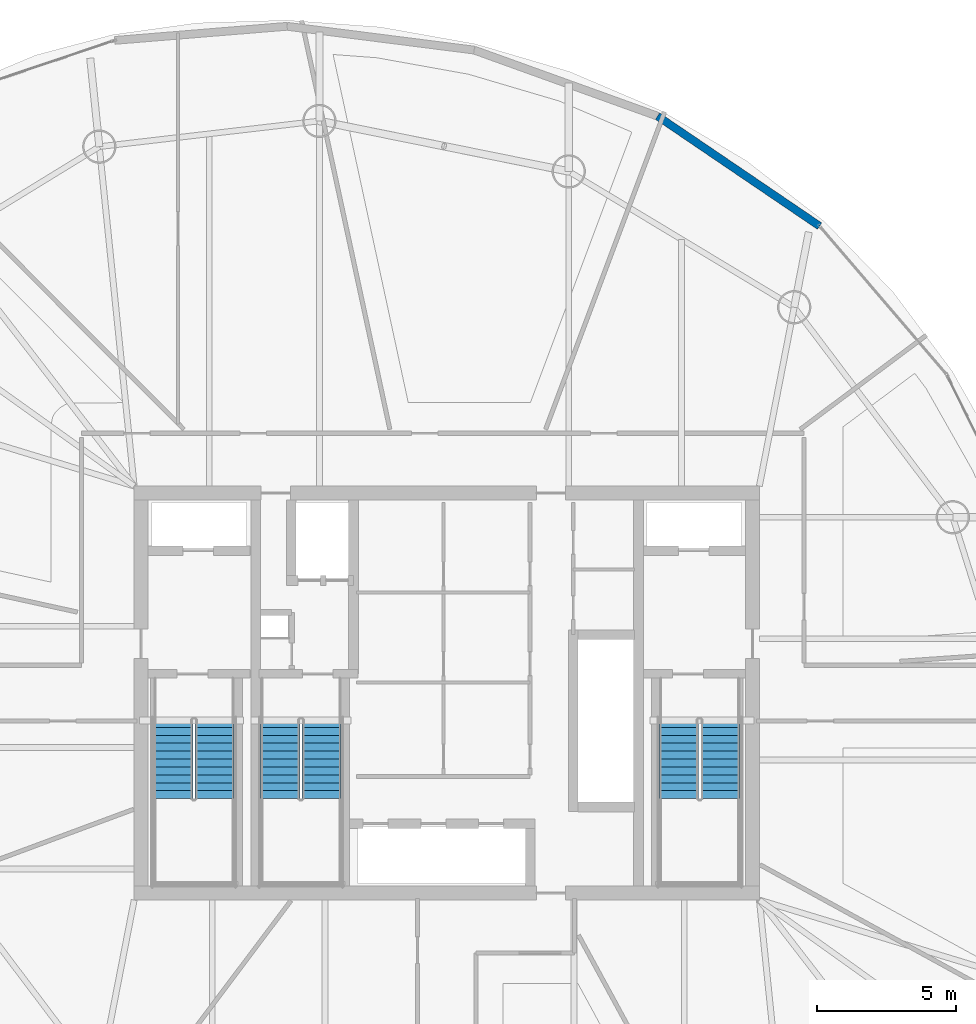
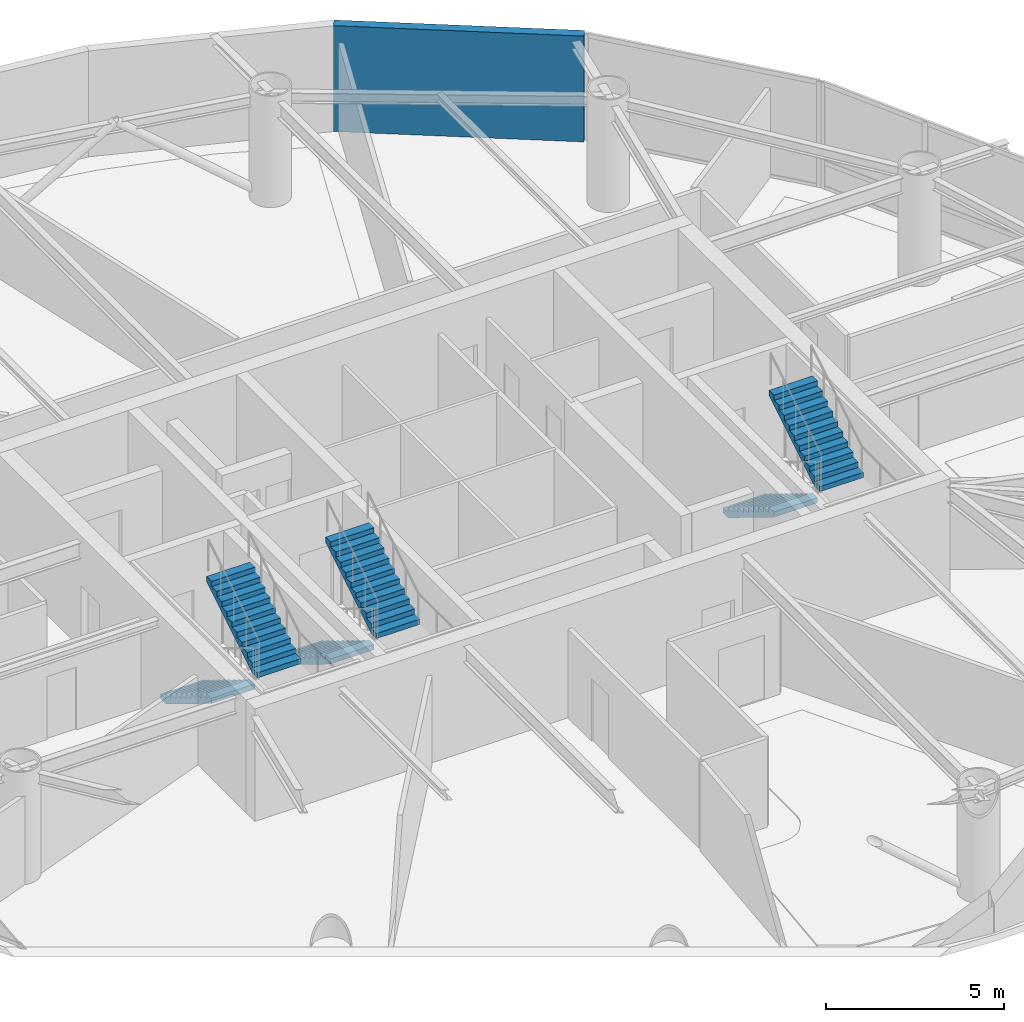
# One storey, part 16 of 19: 6 stair flights, 1 wall, 3 elements without a shape of their own.
"""IFC4 building model written with IfcOpenShell, lengths in metres."""

from ifc_helpers import new_model, si_unit, direction, frame, frame_2d, origin, place, context, subcontext, project, spatial, polyline, rectangle, outline, extrude, material, layer, layer_set, type_object, element, aggregate, save


model = new_model("IFC4")

# Units and contexts
model_context = context("Model", 3, precision=1e-05, world=origin(), true_north=direction((0.0, 1.0)))
body_context = subcontext(model_context, "Body", "Model", "MODEL_VIEW")
ifc_project = project(units=[si_unit("LENGTHUNIT", "METRE"), si_unit("AREAUNIT", "SQUARE_METRE"), si_unit("VOLUMEUNIT", "CUBIC_METRE"), si_unit("PLANEANGLEUNIT", "RADIAN"), si_unit("MASSUNIT", "GRAM", prefix="KILO")], contexts=[model_context])

# Site, building, storey
site_placement = place(None, origin())
site = spatial("IfcSite", under=ifc_project, at=site_placement, CompositionType="ELEMENT")
building_placement = place(site_placement, origin())
building = spatial("IfcBuilding", under=site, at=building_placement, Name="Bramvorn Convention Spire", CompositionType="ELEMENT")
storey_placement = place(building_placement, frame((0.0, 0.0, 198.14990234375)))
storey = spatial("IfcBuildingStorey", under=building, at=storey_placement, Name="L50", CompositionType="ELEMENT", Elevation=198.14990234375)

# Wall
ifc_material_1 = material(Name="Precast Concrete C40/50 with Bronze Terracotta Rainscreen", Category="masonry")
ifc_layer = layer(ifc_material_1, 0.300048828125)
ifc_layer_set = layer_set([ifc_layer], Name="Precast Concrete C40/50 with Bronze Terracotta Rainscreen - WL-EXT-BRONZE-300")
wall_type = type_object("IfcWallType", Name="WL-EXT-BRONZE-300", PredefinedType="SOLIDWALL", material=ifc_layer_set)
wall_placement = place(storey_placement, frame((45.585693359375, 46.760986328125, 0.0), z_axis=(0.0, 0.0, 1.0), x_axis=(0.827523497292, -0.561431083419, 0.0)))
element("IfcWall", 1, at=wall_placement, inside=storey, type_object=wall_type, Name="L50 expressed bronze Gothic lancet pier wall 07", PredefinedType="SOLIDWALL", context=body_context, shape_type="SweptSolid", body=[
    extrude(rectangle(XDim=7.04541015625, YDim=0.280029296875, at=frame_2d((3.522705078125, 0.0))), origin(), (0.0, 0.0, 1.0), 3.6201171875),
])

# Stair, stair flights
ifc_material_2 = material(Name="Concrete C40/50 Precast Stair", Category="concrete")
stair_type = type_object("IfcStairType", Name="ST-TOWER-1550", PredefinedType="HALF_TURN_STAIR", material=ifc_material_2)
stair_1_placement = place(storey_placement, origin())
stair_1 = element("IfcStair", 2, at=stair_1_placement, inside=storey, type_object=stair_type, Name="L50 Protected Exit Stair ST1", PredefinedType="HALF_TURN_STAIR")
ifc_material_3 = material(Name="Concrete C40/50 Precast Stair Flight", Category="concrete")
stair_flight_type = type_object("IfcStairFlightType", Name="STF-TOWER-1550", PredefinedType="STRAIGHT", material=ifc_material_3)
stair_flight_1_placement = place(storey_placement, frame((28.155029296875, 25.050048828125, 0.0), z_axis=(0.0, 0.0, 1.0), x_axis=(0.0, -1.0, 0.0)))
stair_flight_1 = element("IfcStairFlight", 3, at=stair_flight_1_placement, type_object=stair_flight_type, Name="ST1 flight 1", NumberOfRisers=11, NumberOfTreads=10, PredefinedType="STRAIGHT", RiserHeight=0.175, TreadLength=0.285, context=body_context, shape_type="SweptSolid", body=[
    extrude(outline(polyline([(0.0, 0.0), (0.0, 0.175048828125), (0.284912109375, 0.175048828125), (0.284912109375, 0.35009765625), (0.570068359375, 0.35009765625), (0.570068359375, 0.52490234375), (0.85498046875, 0.52490234375), (0.85498046875, 0.699951171875), (1.139892578125, 0.699951171875), (1.139892578125, 0.875), (1.425048828125, 0.875), (1.425048828125, 1.050048828125), (1.7099609375, 1.050048828125), (1.7099609375, 1.22509765625), (1.9951171875, 1.22509765625), (1.9951171875, 1.39990234375), (2.280029296875, 1.39990234375), (2.280029296875, 1.574951171875), (2.56494140625, 1.574951171875), (2.56494140625, 1.75), (2.85009765625, 1.75), (2.85009765625, 1.925048828125), (2.85009765625, 1.573974609375), (0.286376953125, 0.0), (0.0, 0.0)])), frame((0.0, 0.705078125, 0.0), z_axis=(0.0, -1.0, 0.0), x_axis=(1.0, 0.0, 0.0)), (0.0, 0.0, 1.0), 1.409912109375),
])
stair_flight_2_placement = place(storey_placement, frame((29.64501953125, 22.199951171875, 1.925048828125), z_axis=(0.0, 0.0, 1.0), x_axis=(0.0, 1.0, 0.0)))
stair_flight_2 = element("IfcStairFlight", 4, at=stair_flight_2_placement, type_object=stair_flight_type, Name="ST1 flight 2", NumberOfRisers=11, NumberOfTreads=10, PredefinedType="STRAIGHT", RiserHeight=0.175, TreadLength=0.285, context=body_context, shape_type="SweptSolid", body=[
    extrude(outline(polyline([(0.0, 0.0), (0.0, 0.175048828125), (0.284912109375, 0.175048828125), (0.284912109375, 0.35009765625), (0.570068359375, 0.35009765625), (0.570068359375, 0.52490234375), (0.85498046875, 0.52490234375), (0.85498046875, 0.699951171875), (1.139892578125, 0.699951171875), (1.139892578125, 0.875), (1.425048828125, 0.875), (1.425048828125, 1.050048828125), (1.7099609375, 1.050048828125), (1.7099609375, 1.22509765625), (1.9951171875, 1.22509765625), (1.9951171875, 1.39990234375), (2.280029296875, 1.39990234375), (2.280029296875, 1.574951171875), (2.56494140625, 1.574951171875), (2.56494140625, 1.75), (2.85009765625, 1.75), (2.85009765625, 1.925048828125), (2.85009765625, 1.573974609375), (0.286376953125, 0.0), (0.0, 0.0)])), frame((0.0, 0.705078125, 0.0), z_axis=(0.0, -1.0, 0.0), x_axis=(1.0, 0.0, 0.0)), (0.0, 0.0, 1.0), 1.409912109375),
])
aggregate(stair_1, [stair_flight_1, stair_flight_2])

stair_2_placement = place(storey_placement, origin())
stair_2 = element("IfcStair", 5, at=stair_2_placement, inside=storey, type_object=stair_type, Name="L50 Protected Exit Stair ST2", PredefinedType="HALF_TURN_STAIR")
stair_flight_3_placement = place(storey_placement, frame((46.35498046875, 25.050048828125, 0.0), z_axis=(0.0, 0.0, 1.0), x_axis=(0.0, -1.0, 0.0)))
stair_flight_3 = element("IfcStairFlight", 6, at=stair_flight_3_placement, type_object=stair_flight_type, Name="ST2 flight 1", NumberOfRisers=11, NumberOfTreads=10, PredefinedType="STRAIGHT", RiserHeight=0.175, TreadLength=0.285, context=body_context, shape_type="SweptSolid", body=[
    extrude(outline(polyline([(0.0, 0.0), (0.0, 0.175048828125), (0.284912109375, 0.175048828125), (0.284912109375, 0.35009765625), (0.570068359375, 0.35009765625), (0.570068359375, 0.52490234375), (0.85498046875, 0.52490234375), (0.85498046875, 0.699951171875), (1.139892578125, 0.699951171875), (1.139892578125, 0.875), (1.425048828125, 0.875), (1.425048828125, 1.050048828125), (1.7099609375, 1.050048828125), (1.7099609375, 1.22509765625), (1.9951171875, 1.22509765625), (1.9951171875, 1.39990234375), (2.280029296875, 1.39990234375), (2.280029296875, 1.574951171875), (2.56494140625, 1.574951171875), (2.56494140625, 1.75), (2.85009765625, 1.75), (2.85009765625, 1.925048828125), (2.85009765625, 1.573974609375), (0.286376953125, 0.0), (0.0, 0.0)])), frame((0.0, 0.705078125, 0.0), z_axis=(0.0, -1.0, 0.0), x_axis=(1.0, 0.0, 0.0)), (0.0, 0.0, 1.0), 1.409912109375),
])
stair_flight_4_placement = place(storey_placement, frame((47.844970703125, 22.199951171875, 1.925048828125), z_axis=(0.0, 0.0, 1.0), x_axis=(0.0, 1.0, 0.0)))
stair_flight_4 = element("IfcStairFlight", 7, at=stair_flight_4_placement, type_object=stair_flight_type, Name="ST2 flight 2", NumberOfRisers=11, NumberOfTreads=10, PredefinedType="STRAIGHT", RiserHeight=0.175, TreadLength=0.285, context=body_context, shape_type="SweptSolid", body=[
    extrude(outline(polyline([(0.0, 0.0), (0.0, 0.175048828125), (0.284912109375, 0.175048828125), (0.284912109375, 0.35009765625), (0.570068359375, 0.35009765625), (0.570068359375, 0.52490234375), (0.85498046875, 0.52490234375), (0.85498046875, 0.699951171875), (1.139892578125, 0.699951171875), (1.139892578125, 0.875), (1.425048828125, 0.875), (1.425048828125, 1.050048828125), (1.7099609375, 1.050048828125), (1.7099609375, 1.22509765625), (1.9951171875, 1.22509765625), (1.9951171875, 1.39990234375), (2.280029296875, 1.39990234375), (2.280029296875, 1.574951171875), (2.56494140625, 1.574951171875), (2.56494140625, 1.75), (2.85009765625, 1.75), (2.85009765625, 1.925048828125), (2.85009765625, 1.573974609375), (0.286376953125, 0.0), (0.0, 0.0)])), frame((0.0, 0.705078125, 0.0), z_axis=(0.0, -1.0, 0.0), x_axis=(1.0, 0.0, 0.0)), (0.0, 0.0, 1.0), 1.409912109375),
])
aggregate(stair_2, [stair_flight_3, stair_flight_4])

stair_3_placement = place(storey_placement, origin())
stair_3 = element("IfcStair", 8, at=stair_3_placement, inside=storey, type_object=stair_type, Name="L50 Protected Exit Stair ST3", PredefinedType="HALF_TURN_STAIR")
stair_flight_5_placement = place(storey_placement, frame((32.0048828125, 25.050048828125, 0.0), z_axis=(0.0, 0.0, 1.0), x_axis=(0.0, -1.0, 0.0)))
stair_flight_5 = element("IfcStairFlight", 9, at=stair_flight_5_placement, type_object=stair_flight_type, Name="ST3 flight 1", NumberOfRisers=11, NumberOfTreads=10, PredefinedType="STRAIGHT", RiserHeight=0.175, TreadLength=0.285, context=body_context, shape_type="SweptSolid", body=[
    extrude(outline(polyline([(0.0, 0.0), (0.0, 0.175048828125), (0.284912109375, 0.175048828125), (0.284912109375, 0.35009765625), (0.570068359375, 0.35009765625), (0.570068359375, 0.52490234375), (0.85498046875, 0.52490234375), (0.85498046875, 0.699951171875), (1.139892578125, 0.699951171875), (1.139892578125, 0.875), (1.425048828125, 0.875), (1.425048828125, 1.050048828125), (1.7099609375, 1.050048828125), (1.7099609375, 1.22509765625), (1.9951171875, 1.22509765625), (1.9951171875, 1.39990234375), (2.280029296875, 1.39990234375), (2.280029296875, 1.574951171875), (2.56494140625, 1.574951171875), (2.56494140625, 1.75), (2.85009765625, 1.75), (2.85009765625, 1.925048828125), (2.85009765625, 1.573974609375), (0.286376953125, 0.0), (0.0, 0.0)])), frame((0.0, 0.705078125, 0.0), z_axis=(0.0, -1.0, 0.0), x_axis=(1.0, 0.0, 0.0)), (0.0, 0.0, 1.0), 1.409912109375),
])
stair_flight_6_placement = place(storey_placement, frame((33.4951171875, 22.199951171875, 1.925048828125), z_axis=(0.0, 0.0, 1.0), x_axis=(0.0, 1.0, 0.0)))
stair_flight_6 = element("IfcStairFlight", 10, at=stair_flight_6_placement, type_object=stair_flight_type, Name="ST3 flight 2", NumberOfRisers=11, NumberOfTreads=10, PredefinedType="STRAIGHT", RiserHeight=0.175, TreadLength=0.285, context=body_context, shape_type="SweptSolid", body=[
    extrude(outline(polyline([(0.0, 0.0), (0.0, 0.175048828125), (0.284912109375, 0.175048828125), (0.284912109375, 0.35009765625), (0.570068359375, 0.35009765625), (0.570068359375, 0.52490234375), (0.85498046875, 0.52490234375), (0.85498046875, 0.699951171875), (1.139892578125, 0.699951171875), (1.139892578125, 0.875), (1.425048828125, 0.875), (1.425048828125, 1.050048828125), (1.7099609375, 1.050048828125), (1.7099609375, 1.22509765625), (1.9951171875, 1.22509765625), (1.9951171875, 1.39990234375), (2.280029296875, 1.39990234375), (2.280029296875, 1.574951171875), (2.56494140625, 1.574951171875), (2.56494140625, 1.75), (2.85009765625, 1.75), (2.85009765625, 1.925048828125), (2.85009765625, 1.573974609375), (0.286376953125, 0.0), (0.0, 0.0)])), frame((0.0, 0.705078125, 0.0), z_axis=(0.0, -1.0, 0.0), x_axis=(1.0, 0.0, 0.0)), (0.0, 0.0, 1.0), 1.409912109375),
])
aggregate(stair_3, [stair_flight_5, stair_flight_6])

save(model, "model.ifc")
